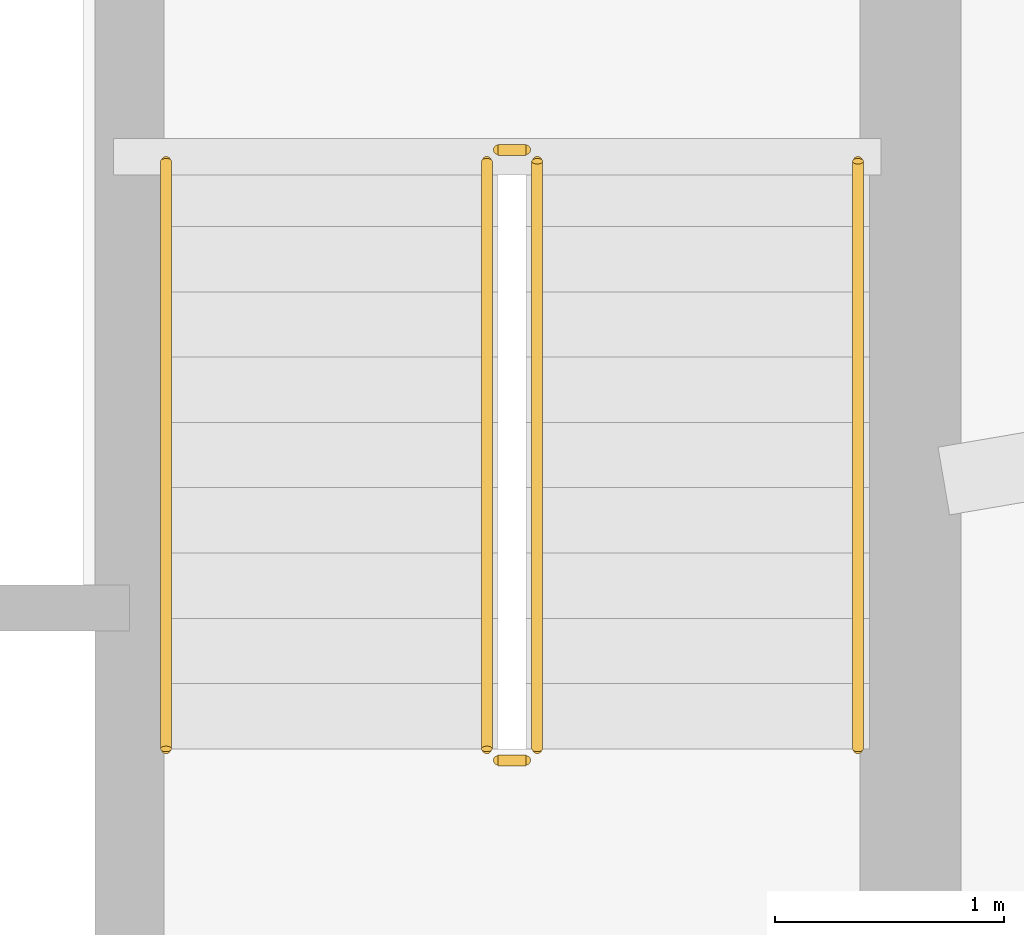
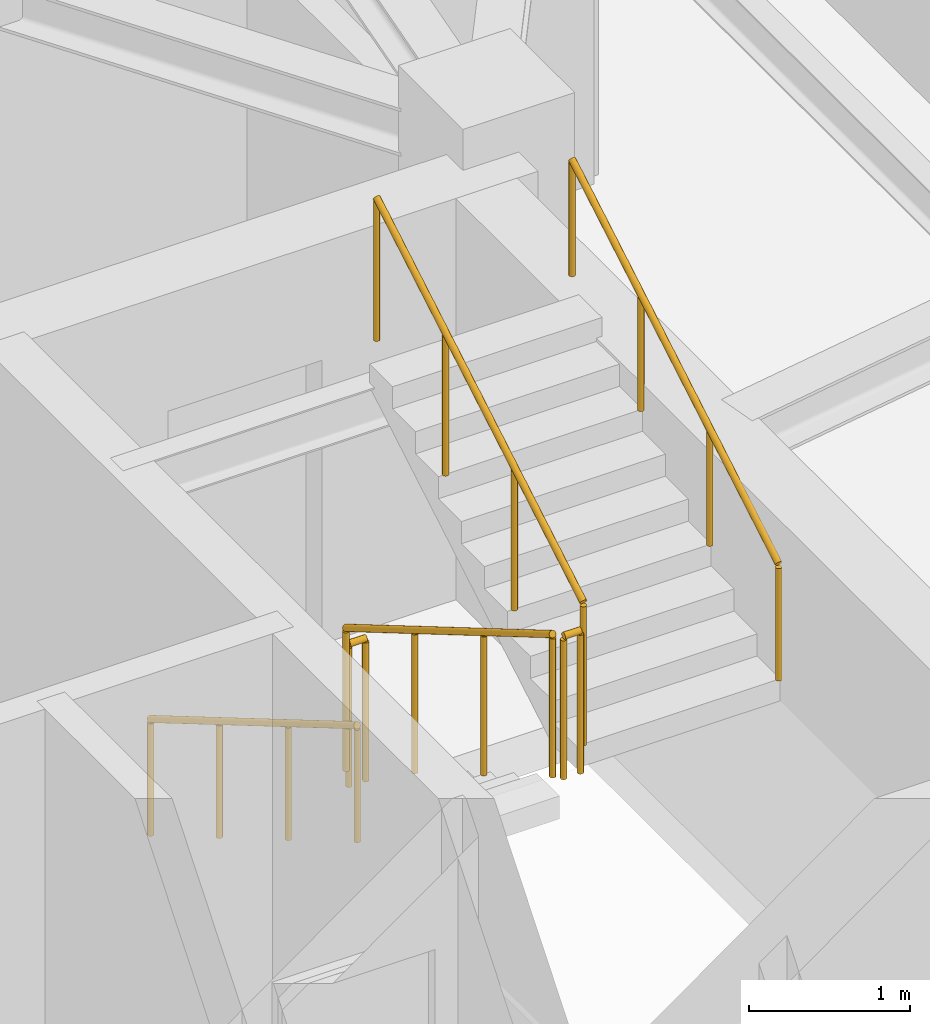
# One storey, part 10 of 10: 6 railings.
"""IFC4 building model written with IfcOpenShell, lengths in metres."""

from ifc_helpers import new_model, si_unit, direction, frame, origin, origin_2d, place, context, subcontext, project, spatial, circle, extrude, material, type_object, element, save


model = new_model("IFC4")

# Units and contexts
model_context = context("Model", 3, precision=1e-05, world=origin(), true_north=direction((0.0, 1.0)))
body_context = subcontext(model_context, "Body", "Model", "MODEL_VIEW")
ifc_project = project(units=[si_unit("LENGTHUNIT", "METRE"), si_unit("AREAUNIT", "SQUARE_METRE"), si_unit("VOLUMEUNIT", "CUBIC_METRE"), si_unit("PLANEANGLEUNIT", "RADIAN"), si_unit("MASSUNIT", "GRAM", prefix="KILO")], contexts=[model_context])

# Site, building, storey
site_placement = place(None, origin())
site = spatial("IfcSite", under=ifc_project, at=site_placement, CompositionType="ELEMENT")
building_placement = place(site_placement, origin())
building = spatial("IfcBuilding", under=site, at=building_placement, Name="Qobustan Lattice House", CompositionType="ELEMENT")
storey_placement = place(building_placement, frame((0.0, 0.0, 238.35009765625)))
storey = spatial("IfcBuildingStorey", under=building, at=storey_placement, Name="L67", CompositionType="ELEMENT", Elevation=238.35009765625)

# Railings
ifc_material_1 = material(Name="Brushed stainless steel handrail", Category="steel")
railing_type_1 = type_object("IfcRailingType", Name="RAL-HR-920", PredefinedType="HANDRAIL", material=ifc_material_1)
railing_1_placement = place(storey_placement, frame((15.179931640625, 3.5, 0.16748046875)))
element("IfcRailing", 1, at=railing_1_placement, inside=storey, type_object=railing_type_1, Name="L67 ST-E1 stair handrail 1", PredefinedType="HANDRAIL", context=body_context, shape_type="SweptSolid", body=[
    extrude(circle(Radius=0.02392578125, at=origin_2d()), frame((0.0, 0.0, 0.8759765625), z_axis=(0.0, -0.862149314443, 0.506654280161), x_axis=(1.0, 0.0, 0.0)), (0.0, 0.0, 1.0), 2.97509765625),
    extrude(circle(Radius=0.02099609375, at=origin_2d()), origin(), (0.0, 0.0, 1.0), 0.851806640625),
    extrude(circle(Radius=0.02099609375, at=origin_2d()), frame((0.0, -0.85498046875, 0.50244140625)), (0.0, 0.0, 1.0), 0.851806640625),
    extrude(circle(Radius=0.02099609375, at=origin_2d()), frame((0.0, -1.7099609375, 1.0048828125)), (0.0, 0.0, 1.0), 0.851806640625),
    extrude(circle(Radius=0.02099609375, at=origin_2d()), frame((0.0, -2.56494140625, 1.50732421875)), (0.0, 0.0, 1.0), 0.851806640625),
])
railing_2_placement = place(storey_placement, frame((18.199951171875, 0.93505859375, 1.84228515625)))
element("IfcRailing", 2, at=railing_2_placement, inside=storey, type_object=railing_type_1, Name="L67 ST-E1 stair handrail 2", PredefinedType="HANDRAIL", context=body_context, shape_type="SweptSolid", body=[
    extrude(circle(Radius=0.02392578125, at=origin_2d()), frame((0.0, 0.0, 0.8759765625), z_axis=(0.0, 0.862113467892, 0.50671527358), x_axis=(-1.0, 0.0, 0.0)), (0.0, 0.0, 1.0), 2.97509765625),
    extrude(circle(Radius=0.02099609375, at=origin_2d()), origin(), (0.0, 0.0, 1.0), 0.851806640625),
    extrude(circle(Radius=0.02099609375, at=origin_2d()), frame((0.0, 0.85498046875, 0.50244140625)), (0.0, 0.0, 1.0), 0.851806640625),
    extrude(circle(Radius=0.02099609375, at=origin_2d()), frame((0.0, 1.7099609375, 1.005126953125)), (0.0, 0.0, 1.0), 0.851806640625),
    extrude(circle(Radius=0.02099609375, at=origin_2d()), frame((0.0, 2.56494140625, 1.507568359375)), (0.0, 0.0, 1.0), 0.851806640625),
])
ifc_material_2 = material(Name="Painted galvanized steel guardrail", Category="steel")
railing_type_2 = type_object("IfcRailingType", Name="RAL-STG-1150", PredefinedType="GUARDRAIL", material=ifc_material_2)
railing_3_placement = place(storey_placement, frame((16.580078125, 3.5, 0.16748046875)))
element("IfcRailing", 3, at=railing_3_placement, inside=storey, type_object=railing_type_2, Name="L67 ST-E1 stair guard 1", PredefinedType="GUARDRAIL", context=body_context, shape_type="SweptSolid", body=[
    extrude(circle(Radius=0.02392578125, at=origin_2d()), frame((0.0, 0.0, 1.076171875), z_axis=(0.0, -0.862149314443, 0.506654280161), x_axis=(1.0, 0.0, 0.0)), (0.0, 0.0, 1.0), 2.97509765625),
    extrude(circle(Radius=0.02099609375, at=origin_2d()), origin(), (0.0, 0.0, 1.0), 1.052001953125),
    extrude(circle(Radius=0.02099609375, at=origin_2d()), frame((0.0, -0.85498046875, 0.50244140625)), (0.0, 0.0, 1.0), 1.052001953125),
    extrude(circle(Radius=0.02099609375, at=origin_2d()), frame((0.0, -1.7099609375, 1.0048828125)), (0.0, 0.0, 1.0), 1.052001953125),
    extrude(circle(Radius=0.02099609375, at=origin_2d()), frame((0.0, -2.56494140625, 1.50732421875)), (0.0, 0.0, 1.0), 1.052001953125),
])
railing_4_placement = place(storey_placement, frame((16.6298828125, 0.885009765625, 1.6748046875)))
element("IfcRailing", 4, at=railing_4_placement, inside=storey, type_object=railing_type_2, Name="L67 ST-E1 stair guard 2", PredefinedType="GUARDRAIL", context=body_context, shape_type="SweptSolid", body=[
    extrude(circle(Radius=0.02392578125, at=origin_2d()), frame((0.0, 0.0, 1.076171875), z_axis=(1.0, 0.0, 0.0), x_axis=(0.0, 1.0, 0.0)), (0.0, 0.0, 1.0), 0.1201171875),
    extrude(circle(Radius=0.02099609375, at=origin_2d()), origin(), (0.0, 0.0, 1.0), 1.052001953125),
    extrude(circle(Radius=0.02099609375, at=origin_2d()), frame((0.1201171875, 0.0, 0.0)), (0.0, 0.0, 1.0), 1.052001953125),
])
railing_5_placement = place(storey_placement, frame((16.800048828125, 0.93505859375, 1.84228515625)))
element("IfcRailing", 5, at=railing_5_placement, inside=storey, type_object=railing_type_2, Name="L67 ST-E1 stair guard 3", PredefinedType="GUARDRAIL", context=body_context, shape_type="SweptSolid", body=[
    extrude(circle(Radius=0.02392578125, at=origin_2d()), frame((0.0, 0.0, 1.076171875), z_axis=(0.0, 0.862113467892, 0.50671527358), x_axis=(-1.0, 0.0, 0.0)), (0.0, 0.0, 1.0), 2.97509765625),
    extrude(circle(Radius=0.02099609375, at=origin_2d()), origin(), (0.0, 0.0, 1.0), 1.052001953125),
    extrude(circle(Radius=0.02099609375, at=origin_2d()), frame((0.0, 0.85498046875, 0.50244140625)), (0.0, 0.0, 1.0), 1.052001953125),
    extrude(circle(Radius=0.02099609375, at=origin_2d()), frame((0.0, 1.7099609375, 1.005126953125)), (0.0, 0.0, 1.0), 1.052001953125),
    extrude(circle(Radius=0.02099609375, at=origin_2d()), frame((0.0, 2.56494140625, 1.507568359375)), (0.0, 0.0, 1.0), 1.052001953125),
])
railing_6_placement = place(storey_placement, frame((16.6298828125, 3.550048828125, 0.0)))
element("IfcRailing", 6, at=railing_6_placement, inside=storey, type_object=railing_type_2, Name="L67 ST-E1 stair guard 4", PredefinedType="GUARDRAIL", context=body_context, shape_type="SweptSolid", body=[
    extrude(circle(Radius=0.02392578125, at=origin_2d()), frame((0.0, 0.0, 1.076171875), z_axis=(1.0, 0.0, 0.0), x_axis=(0.0, 1.0, 0.0)), (0.0, 0.0, 1.0), 0.1201171875),
    extrude(circle(Radius=0.02099609375, at=origin_2d()), origin(), (0.0, 0.0, 1.0), 1.052001953125),
    extrude(circle(Radius=0.02099609375, at=origin_2d()), frame((0.1201171875, 0.0, 0.0)), (0.0, 0.0, 1.0), 1.052001953125),
])

save(model, "model.ifc")
